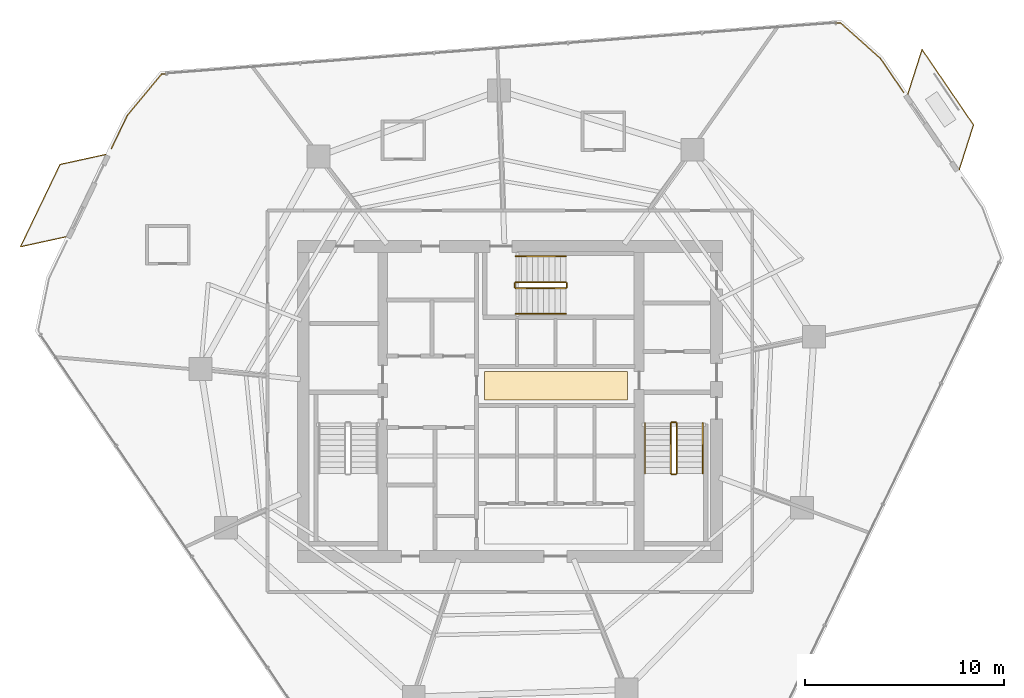
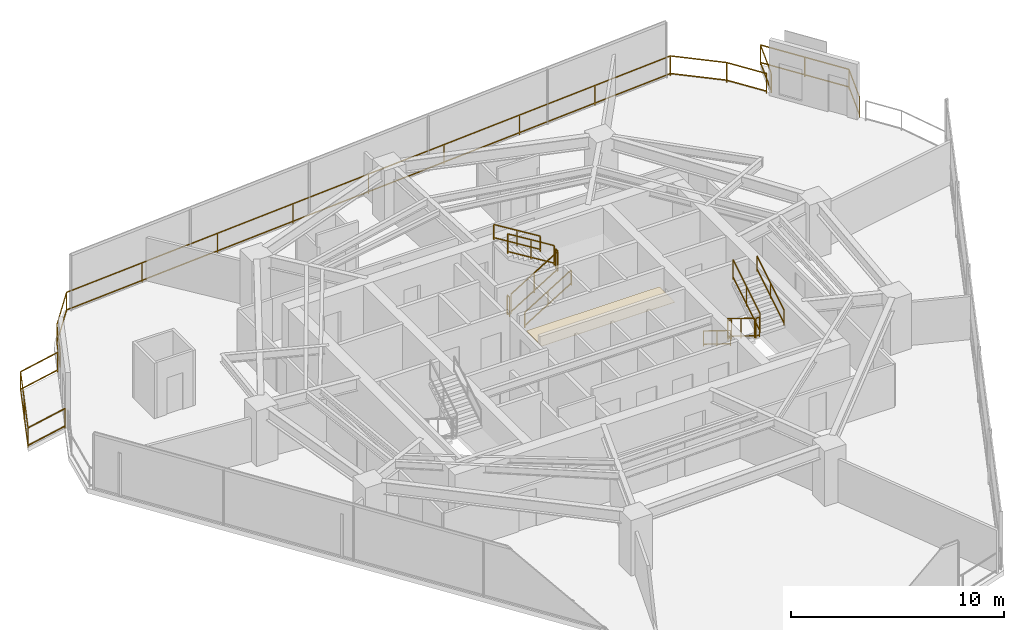
# One storey, part 30 of 30: 16 railings, 1 covering.
"""IFC4 building model written with IfcOpenShell, lengths in metres."""

from ifc_helpers import new_model, si_unit, direction, frame, origin, origin_2d, place, context, subcontext, project, spatial, rectangle, extrude, material, layer, layer_set, type_object, element, save


model = new_model("IFC4")

# Units and contexts
model_context = context("Model", 3, precision=1e-05, world=origin(), true_north=direction((0.0, 1.0)))
body_context = subcontext(model_context, "Body", "Model", "MODEL_VIEW")
ifc_project = project(units=[si_unit("LENGTHUNIT", "METRE"), si_unit("AREAUNIT", "SQUARE_METRE"), si_unit("VOLUMEUNIT", "CUBIC_METRE"), si_unit("PLANEANGLEUNIT", "RADIAN"), si_unit("MASSUNIT", "GRAM", prefix="KILO")], contexts=[model_context])

# Site, building, storey
site_placement = place(None, origin())
site = spatial("IfcSite", under=ifc_project, at=site_placement, CompositionType="ELEMENT")
building_placement = place(site_placement, origin())
building = spatial("IfcBuilding", under=site, at=building_placement, Name="Qarnah Convention Tower", CompositionType="ELEMENT")
storey_placement = place(building_placement, frame((0.0, 0.0, 83.25)))
storey = spatial("IfcBuildingStorey", under=building, at=storey_placement, Name="L21", CompositionType="ELEMENT", Elevation=83.25)

# Covering
ifc_material_1 = material(Name="Mineral fibre acoustic ceiling")
ifc_layer = layer(ifc_material_1, 0.02001953125)
ifc_layer_set = layer_set([ifc_layer], Name="Mineral fibre acoustic ceiling")
covering_type = type_object("IfcCoveringType", Name="COV-CEIL-20", PredefinedType="CEILING", material=ifc_layer_set)
covering_placement = place(storey_placement, frame((39.52001953125, 27.179931640625, 2.2900390625), z_axis=(0.0, 0.0, 1.0), x_axis=(1.0, 0.0, 0.0)))
element("IfcCovering", 1, at=covering_placement, inside=storey, type_object=covering_type, Name="L21 lift lobby acoustic ceiling", PredefinedType="CEILING", context=body_context, shape_type="SweptSolid", body=[
    extrude(rectangle(XDim=7.199951171875, YDim=1.449951171875, at=origin_2d()), origin(), (0.0, 0.0, 1.0), 0.02001953125),
])

# Railings
ifc_material_2 = material(Name="Black anodised aluminium", Category="aluminium")
railing_type_1 = type_object("IfcRailingType", Name="RL-EXT-GUARD-1150", PredefinedType="GUARDRAIL", material=ifc_material_2)
railing_1_placement = place(storey_placement, frame((55.85205078125, 43.657958984375, 0.0)))
element("IfcRailing", 2, at=railing_1_placement, inside=storey, type_object=railing_type_1, Name="L21 slab-edge perimeter safety guard 01", PredefinedType="GUARDRAIL", context=body_context, shape_type="SweptSolid", body=[
    extrude(rectangle(XDim=0.048095703125, YDim=0.048095703125, at=origin_2d()), frame((0.0, 0.0, 1.1259765625), z_axis=(0.563891242009, -0.825849058355, 0.0), x_axis=(0.825849058355, 0.563891242009, 0.0)), (0.0, 0.0, 1.0), 2.076416015625),
    extrude(rectangle(XDim=0.048095703125, YDim=0.048095703125, at=origin_2d()), frame((0.0, 0.0, 0.1201171875), z_axis=(0.563891242009, -0.825849058355, 0.0), x_axis=(0.825849058355, 0.563891242009, 0.0)), (0.0, 0.0, 1.0), 2.076416015625),
    extrude(rectangle(XDim=0.0419921875, YDim=0.0419921875, at=origin_2d()), origin(), (0.0, 0.0, 1.0), 1.101806640625),
    extrude(rectangle(XDim=0.0419921875, YDim=0.0419921875, at=origin_2d()), frame((1.1708984375, -1.71484375, 0.0)), (0.0, 0.0, 1.0), 1.101806640625),
])
railing_2_placement = place(storey_placement, frame((17.137939453125, 39.113037109375, 0.0)))
element("IfcRailing", 3, at=railing_2_placement, inside=storey, type_object=railing_type_1, Name="L21 slab-edge perimeter safety guard 03", PredefinedType="GUARDRAIL", context=body_context, shape_type="SweptSolid", body=[
    extrude(rectangle(XDim=0.048095703125, YDim=0.048095703125, at=origin_2d()), frame((0.0, 0.0, 1.1259765625), z_axis=(0.433709373449, 0.901052817199, 0.0), x_axis=(-0.901052817199, 0.433709373449, 0.0)), (0.0, 0.0, 1.0), 1.865478515625),
    extrude(rectangle(XDim=0.048095703125, YDim=0.048095703125, at=origin_2d()), frame((0.0, 0.0, 0.1201171875), z_axis=(0.433709373449, 0.901052817199, 0.0), x_axis=(-0.901052817199, 0.433709373449, 0.0)), (0.0, 0.0, 1.0), 1.865478515625),
    extrude(rectangle(XDim=0.048095703125, YDim=0.048095703125, at=origin_2d()), frame((0.80908203125, 1.680908203125, 1.1259765625), z_axis=(0.638606696047, 0.769533292174, 0.0), x_axis=(-0.769533292174, 0.638606696047, 0.0)), (0.0, 0.0, 1.0), 2.6962890625),
    extrude(rectangle(XDim=0.048095703125, YDim=0.048095703125, at=origin_2d()), frame((0.80908203125, 1.680908203125, 0.1201171875), z_axis=(0.638606696047, 0.769533292174, 0.0), x_axis=(-0.769533292174, 0.638606696047, 0.0)), (0.0, 0.0, 1.0), 2.6962890625),
    extrude(rectangle(XDim=0.048095703125, YDim=0.048095703125, at=origin_2d()), frame((2.531005859375, 3.755859375, 1.1259765625), z_axis=(0.997159154914, 0.075323434406, 0.0), x_axis=(-0.075323434406, 0.997159154914, 0.0)), (0.0, 0.0, 1.0), 34.266357421875),
    extrude(rectangle(XDim=0.048095703125, YDim=0.048095703125, at=origin_2d()), frame((2.531005859375, 3.755859375, 0.1201171875), z_axis=(0.997159154914, 0.075323434406, 0.0), x_axis=(-0.075323434406, 0.997159154914, 0.0)), (0.0, 0.0, 1.0), 34.266357421875),
    extrude(rectangle(XDim=0.048095703125, YDim=0.048095703125, at=origin_2d()), frame((36.699951171875, 6.3369140625, 1.1259765625), z_axis=(0.747109461995, -0.664701024369, 0.0), x_axis=(0.664701024369, 0.747109461995, 0.0)), (0.0, 0.0, 1.0), 2.696044921875),
    extrude(rectangle(XDim=0.048095703125, YDim=0.048095703125, at=origin_2d()), frame((36.699951171875, 6.3369140625, 0.1201171875), z_axis=(0.747109461995, -0.664701024369, 0.0), x_axis=(0.664701024369, 0.747109461995, 0.0)), (0.0, 0.0, 1.0), 2.696044921875),
    extrude(rectangle(XDim=0.0419921875, YDim=0.0419921875, at=origin_2d()), origin(), (0.0, 0.0, 1.0), 1.101806640625),
    extrude(rectangle(XDim=0.0419921875, YDim=0.0419921875, at=origin_2d()), frame((0.80908203125, 1.680908203125, 0.0)), (0.0, 0.0, 1.0), 1.101806640625),
    extrude(rectangle(XDim=0.0419921875, YDim=0.0419921875, at=origin_2d()), frame((2.531005859375, 3.755859375, 0.0)), (0.0, 0.0, 1.0), 1.101806640625),
    extrude(rectangle(XDim=0.0419921875, YDim=0.0419921875, at=origin_2d()), frame((6.80224609375, 4.07861328125, 0.0)), (0.0, 0.0, 1.0), 1.101806640625),
    extrude(rectangle(XDim=0.0419921875, YDim=0.0419921875, at=origin_2d()), frame((11.0732421875, 4.401123046875, 0.0)), (0.0, 0.0, 1.0), 1.101806640625),
    extrude(rectangle(XDim=0.0419921875, YDim=0.0419921875, at=origin_2d()), frame((15.34423828125, 4.7236328125, 0.0)), (0.0, 0.0, 1.0), 1.101806640625),
    extrude(rectangle(XDim=0.0419921875, YDim=0.0419921875, at=origin_2d()), frame((19.615478515625, 5.04638671875, 0.0)), (0.0, 0.0, 1.0), 1.101806640625),
    extrude(rectangle(XDim=0.0419921875, YDim=0.0419921875, at=origin_2d()), frame((23.88671875, 5.369140625, 0.0)), (0.0, 0.0, 1.0), 1.101806640625),
    extrude(rectangle(XDim=0.0419921875, YDim=0.0419921875, at=origin_2d()), frame((28.15771484375, 5.691650390625, 0.0)), (0.0, 0.0, 1.0), 1.101806640625),
    extrude(rectangle(XDim=0.0419921875, YDim=0.0419921875, at=origin_2d()), frame((32.4287109375, 6.01416015625, 0.0)), (0.0, 0.0, 1.0), 1.101806640625),
    extrude(rectangle(XDim=0.0419921875, YDim=0.0419921875, at=origin_2d()), frame((36.699951171875, 6.3369140625, 0.0)), (0.0, 0.0, 1.0), 1.101806640625),
    extrude(rectangle(XDim=0.0419921875, YDim=0.0419921875, at=origin_2d()), frame((38.714111328125, 4.544921875, 0.0)), (0.0, 0.0, 1.0), 1.101806640625),
])
railing_3_placement = place(storey_placement, frame((57.23193359375, 41.8759765625, 0.0)))
element("IfcRailing", 4, at=railing_3_placement, inside=storey, type_object=railing_type_1, Name="L21 balcony safety guard BAL-L21-C1", PredefinedType="GUARDRAIL", context=body_context, shape_type="SweptSolid", body=[
    extrude(rectangle(XDim=0.048095703125, YDim=0.048095703125, at=origin_2d()), frame((0.0, 0.0, 1.1259765625), z_axis=(0.303843323611, 0.952722013337, 0.0), x_axis=(-0.952722013337, 0.303843323611, 0.0)), (0.0, 0.0, 1.0), 2.34716796875),
    extrude(rectangle(XDim=0.048095703125, YDim=0.048095703125, at=origin_2d()), frame((0.0, 0.0, 0.1201171875), z_axis=(0.303843323611, 0.952722013337, 0.0), x_axis=(-0.952722013337, 0.303843323611, 0.0)), (0.0, 0.0, 1.0), 2.34716796875),
    extrude(rectangle(XDim=0.048095703125, YDim=0.048095703125, at=origin_2d()), frame((0.713134765625, 2.236083984375, 1.1259765625), z_axis=(0.563888376799, -0.825851014718, 0.0), x_axis=(0.825851014718, 0.563888376799, 0.0)), (0.0, 0.0, 1.0), 4.60009765625),
    extrude(rectangle(XDim=0.048095703125, YDim=0.048095703125, at=origin_2d()), frame((0.713134765625, 2.236083984375, 0.1201171875), z_axis=(0.563888376799, -0.825851014718, 0.0), x_axis=(0.825851014718, 0.563888376799, 0.0)), (0.0, 0.0, 1.0), 4.60009765625),
    extrude(rectangle(XDim=0.048095703125, YDim=0.048095703125, at=origin_2d()), frame((3.30712890625, -1.56298828125, 1.1259765625), z_axis=(-0.303843323611, -0.952722013337, 0.0), x_axis=(0.952722013337, -0.303843323611, 0.0)), (0.0, 0.0, 1.0), 2.34716796875),
    extrude(rectangle(XDim=0.048095703125, YDim=0.048095703125, at=origin_2d()), frame((3.30712890625, -1.56298828125, 0.1201171875), z_axis=(-0.303843323611, -0.952722013337, 0.0), x_axis=(0.952722013337, -0.303843323611, 0.0)), (0.0, 0.0, 1.0), 2.34716796875),
    extrude(rectangle(XDim=0.0419921875, YDim=0.0419921875, at=origin_2d()), origin(), (0.0, 0.0, 1.0), 1.101806640625),
    extrude(rectangle(XDim=0.0419921875, YDim=0.0419921875, at=origin_2d()), frame((0.713134765625, 2.236083984375, 0.0)), (0.0, 0.0, 1.0), 1.101806640625),
    extrude(rectangle(XDim=0.0419921875, YDim=0.0419921875, at=origin_2d()), frame((2.01025390625, 0.33642578125, 0.0)), (0.0, 0.0, 1.0), 1.101806640625),
    extrude(rectangle(XDim=0.0419921875, YDim=0.0419921875, at=origin_2d()), frame((3.30712890625, -1.56298828125, 0.0)), (0.0, 0.0, 1.0), 1.101806640625),
    extrude(rectangle(XDim=0.0419921875, YDim=0.0419921875, at=origin_2d()), frame((2.593994140625, -3.799072265625, 0.0)), (0.0, 0.0, 1.0), 1.101806640625),
])
railing_4_placement = place(storey_placement, frame((14.85693359375, 34.679931640625, 0.0)))
element("IfcRailing", 5, at=railing_4_placement, inside=storey, type_object=railing_type_1, Name="L21 balcony safety guard BAL-L21-C2", PredefinedType="GUARDRAIL", context=body_context, shape_type="SweptSolid", body=[
    extrude(rectangle(XDim=0.048095703125, YDim=0.048095703125, at=origin_2d()), frame((0.0, 0.0, 1.1259765625), z_axis=(-0.97695427395, -0.213448697843, 0.0), x_axis=(0.213448697843, -0.97695427395, 0.0)), (0.0, 0.0, 1.0), 2.34716796875),
    extrude(rectangle(XDim=0.048095703125, YDim=0.048095703125, at=origin_2d()), frame((0.0, 0.0, 0.1201171875), z_axis=(-0.97695427395, -0.213448697843, 0.0), x_axis=(0.213448697843, -0.97695427395, 0.0)), (0.0, 0.0, 1.0), 2.34716796875),
    extrude(rectangle(XDim=0.048095703125, YDim=0.048095703125, at=origin_2d()), frame((-2.29296875, -0.5009765625, 1.1259765625), z_axis=(0.433315993208, 0.901242059621, 0.0), x_axis=(-0.901242059621, 0.433315993208, 0.0)), (0.0, 0.0, 1.0), 4.59912109375),
    extrude(rectangle(XDim=0.048095703125, YDim=0.048095703125, at=origin_2d()), frame((-2.29296875, -0.5009765625, 0.1201171875), z_axis=(0.433315993208, 0.901242059621, 0.0), x_axis=(-0.901242059621, 0.433315993208, 0.0)), (0.0, 0.0, 1.0), 4.59912109375),
    extrude(rectangle(XDim=0.048095703125, YDim=0.048095703125, at=origin_2d()), frame((-0.300048828125, 3.64404296875, 1.1259765625), z_axis=(0.9769779518, 0.21334029553, 0.0), x_axis=(-0.21334029553, 0.9769779518, 0.0)), (0.0, 0.0, 1.0), 2.34814453125),
    extrude(rectangle(XDim=0.048095703125, YDim=0.048095703125, at=origin_2d()), frame((-0.300048828125, 3.64404296875, 0.1201171875), z_axis=(0.9769779518, 0.21334029553, 0.0), x_axis=(-0.21334029553, 0.9769779518, 0.0)), (0.0, 0.0, 1.0), 2.34814453125),
    extrude(rectangle(XDim=0.0419921875, YDim=0.0419921875, at=origin_2d()), origin(), (0.0, 0.0, 1.0), 1.101806640625),
    extrude(rectangle(XDim=0.0419921875, YDim=0.0419921875, at=origin_2d()), frame((-2.29296875, -0.5009765625, 0.0)), (0.0, 0.0, 1.0), 1.101806640625),
    extrude(rectangle(XDim=0.0419921875, YDim=0.0419921875, at=origin_2d()), frame((-1.29638671875, 1.571533203125, 0.0)), (0.0, 0.0, 1.0), 1.101806640625),
    extrude(rectangle(XDim=0.0419921875, YDim=0.0419921875, at=origin_2d()), frame((-0.300048828125, 3.64404296875, 0.0)), (0.0, 0.0, 1.0), 1.101806640625),
    extrude(rectangle(XDim=0.0419921875, YDim=0.0419921875, at=origin_2d()), frame((1.994140625, 4.14501953125, 0.0)), (0.0, 0.0, 1.0), 1.101806640625),
])
ifc_material_3 = material(Name="Structural steel S355JR", Category="steel")
railing_type_2 = type_object("IfcRailingType", Name="RL-STAIR-GUARD-1150", PredefinedType="GUARDRAIL", material=ifc_material_3)
railing_5_placement = place(storey_placement, frame((45.300048828125, 25.300048828125, 0.172607421875)))
element("IfcRailing", 6, at=railing_5_placement, inside=storey, type_object=railing_type_2, Name="L21 ST-2 stair guard 1", PredefinedType="GUARDRAIL", context=body_context, shape_type="SweptSolid", body=[
    extrude(rectangle(XDim=0.048095703125, YDim=0.048095703125, at=origin_2d()), frame((0.0, 0.0, 1.1259765625), z_axis=(0.0, -0.851400495292, 0.524516154772), x_axis=(1.0, 0.0, 0.0)), (0.0, 0.0, 1.0), 2.9599609375),
    extrude(rectangle(XDim=0.048095703125, YDim=0.048095703125, at=origin_2d()), frame((0.0, 0.0, 0.1201171875), z_axis=(0.0, -0.851400495292, 0.524516154772), x_axis=(1.0, 0.0, 0.0)), (0.0, 0.0, 1.0), 2.9599609375),
    extrude(rectangle(XDim=0.0419921875, YDim=0.0419921875, at=origin_2d()), origin(), (0.0, 0.0, 1.0), 1.101806640625),
    extrude(rectangle(XDim=0.0419921875, YDim=0.0419921875, at=origin_2d()), frame((0.0, -1.260009765625, 0.7763671875)), (0.0, 0.0, 1.0), 1.101806640625),
    extrude(rectangle(XDim=0.0419921875, YDim=0.0419921875, at=origin_2d()), frame((0.0, -2.52001953125, 1.552490234375)), (0.0, 0.0, 1.0), 1.101806640625),
])
railing_6_placement = place(storey_placement, frame((45.35009765625, 22.72998046875, 1.72509765625)))
element("IfcRailing", 7, at=railing_6_placement, inside=storey, type_object=railing_type_2, Name="L21 ST-2 stair guard 2", PredefinedType="GUARDRAIL", context=body_context, shape_type="SweptSolid", body=[
    extrude(rectangle(XDim=0.048095703125, YDim=0.048095703125, at=origin_2d()), frame((0.0, 0.0, 1.1259765625), z_axis=(1.0, 0.0, 0.0), x_axis=(0.0, 1.0, 0.0)), (0.0, 0.0, 1.0), 0.199951171875),
    extrude(rectangle(XDim=0.048095703125, YDim=0.048095703125, at=origin_2d()), frame((0.0, 0.0, 0.1201171875), z_axis=(1.0, 0.0, 0.0), x_axis=(0.0, 1.0, 0.0)), (0.0, 0.0, 1.0), 0.199951171875),
    extrude(rectangle(XDim=0.0419921875, YDim=0.0419921875, at=origin_2d()), origin(), (0.0, 0.0, 1.0), 1.101806640625),
    extrude(rectangle(XDim=0.0419921875, YDim=0.0419921875, at=origin_2d()), frame((0.199951171875, 0.0, 0.0)), (0.0, 0.0, 1.0), 1.101806640625),
])
railing_7_placement = place(storey_placement, frame((45.60009765625, 22.780029296875, 1.8974609375)))
element("IfcRailing", 8, at=railing_7_placement, inside=storey, type_object=railing_type_2, Name="L21 ST-2 stair guard 3", PredefinedType="GUARDRAIL", context=body_context, shape_type="SweptSolid", body=[
    extrude(rectangle(XDim=0.048095703125, YDim=0.048095703125, at=origin_2d()), frame((0.0, 0.0, 1.1259765625), z_axis=(0.0, 0.851400495292, 0.524516154772), x_axis=(-1.0, 0.0, 0.0)), (0.0, 0.0, 1.0), 2.9599609375),
    extrude(rectangle(XDim=0.048095703125, YDim=0.048095703125, at=origin_2d()), frame((0.0, 0.0, 0.1201171875), z_axis=(0.0, 0.851400495292, 0.524516154772), x_axis=(-1.0, 0.0, 0.0)), (0.0, 0.0, 1.0), 2.9599609375),
    extrude(rectangle(XDim=0.0419921875, YDim=0.0419921875, at=origin_2d()), origin(), (0.0, 0.0, 1.0), 1.101806640625),
    extrude(rectangle(XDim=0.0419921875, YDim=0.0419921875, at=origin_2d()), frame((0.0, 1.260009765625, 0.7763671875)), (0.0, 0.0, 1.0), 1.101806640625),
    extrude(rectangle(XDim=0.0419921875, YDim=0.0419921875, at=origin_2d()), frame((0.0, 2.52001953125, 1.552490234375)), (0.0, 0.0, 1.0), 1.101806640625),
])
railing_8_placement = place(storey_placement, frame((45.35009765625, 25.35009765625, 0.0)))
element("IfcRailing", 9, at=railing_8_placement, inside=storey, type_object=railing_type_2, Name="L21 ST-2 stair guard 4", PredefinedType="GUARDRAIL", context=body_context, shape_type="SweptSolid", body=[
    extrude(rectangle(XDim=0.048095703125, YDim=0.048095703125, at=origin_2d()), frame((0.0, 0.0, 1.1259765625), z_axis=(1.0, 0.0, 0.0), x_axis=(0.0, 1.0, 0.0)), (0.0, 0.0, 1.0), 0.199951171875),
    extrude(rectangle(XDim=0.048095703125, YDim=0.048095703125, at=origin_2d()), frame((0.0, 0.0, 0.1201171875), z_axis=(1.0, 0.0, 0.0), x_axis=(0.0, 1.0, 0.0)), (0.0, 0.0, 1.0), 0.199951171875),
    extrude(rectangle(XDim=0.0419921875, YDim=0.0419921875, at=origin_2d()), origin(), (0.0, 0.0, 1.0), 1.101806640625),
    extrude(rectangle(XDim=0.0419921875, YDim=0.0419921875, at=origin_2d()), frame((0.199951171875, 0.0, 0.0)), (0.0, 0.0, 1.0), 1.101806640625),
])
railing_9_placement = place(storey_placement, frame((37.5, 32.10009765625, 0.172607421875)))
element("IfcRailing", 10, at=railing_9_placement, inside=storey, type_object=railing_type_2, Name="L21 ST-3 stair guard 1", PredefinedType="GUARDRAIL", context=body_context, shape_type="SweptSolid", body=[
    extrude(rectangle(XDim=0.048095703125, YDim=0.048095703125, at=origin_2d()), frame((0.0, 0.0, 1.1259765625), z_axis=(0.851400495292, 0.0, 0.524516154772), x_axis=(0.0, 1.0, 0.0)), (0.0, 0.0, 1.0), 2.9599609375),
    extrude(rectangle(XDim=0.048095703125, YDim=0.048095703125, at=origin_2d()), frame((0.0, 0.0, 0.1201171875), z_axis=(0.851400495292, 0.0, 0.524516154772), x_axis=(0.0, 1.0, 0.0)), (0.0, 0.0, 1.0), 2.9599609375),
    extrude(rectangle(XDim=0.0419921875, YDim=0.0419921875, at=origin_2d()), origin(), (0.0, 0.0, 1.0), 1.101806640625),
    extrude(rectangle(XDim=0.0419921875, YDim=0.0419921875, at=origin_2d()), frame((1.260009765625, 0.0, 0.7763671875)), (0.0, 0.0, 1.0), 1.101806640625),
    extrude(rectangle(XDim=0.0419921875, YDim=0.0419921875, at=origin_2d()), frame((2.52001953125, 0.0, 1.552490234375)), (0.0, 0.0, 1.0), 1.101806640625),
])
railing_10_placement = place(storey_placement, frame((40.070068359375, 32.14990234375, 1.72509765625)))
element("IfcRailing", 11, at=railing_10_placement, inside=storey, type_object=railing_type_2, Name="L21 ST-3 stair guard 2", PredefinedType="GUARDRAIL", context=body_context, shape_type="SweptSolid", body=[
    extrude(rectangle(XDim=0.048095703125, YDim=0.048095703125, at=origin_2d()), frame((0.0, 0.0, 1.1259765625), z_axis=(0.0, 1.0, 0.0), x_axis=(-1.0, 0.0, 0.0)), (0.0, 0.0, 1.0), 0.2001953125),
    extrude(rectangle(XDim=0.048095703125, YDim=0.048095703125, at=origin_2d()), frame((0.0, 0.0, 0.1201171875), z_axis=(0.0, 1.0, 0.0), x_axis=(-1.0, 0.0, 0.0)), (0.0, 0.0, 1.0), 0.2001953125),
    extrude(rectangle(XDim=0.0419921875, YDim=0.0419921875, at=origin_2d()), origin(), (0.0, 0.0, 1.0), 1.101806640625),
    extrude(rectangle(XDim=0.0419921875, YDim=0.0419921875, at=origin_2d()), frame((0.0, 0.2001953125, 0.0)), (0.0, 0.0, 1.0), 1.101806640625),
])
railing_11_placement = place(storey_placement, frame((40.02001953125, 32.39990234375, 1.8974609375)))
element("IfcRailing", 12, at=railing_11_placement, inside=storey, type_object=railing_type_2, Name="L21 ST-3 stair guard 3", PredefinedType="GUARDRAIL", context=body_context, shape_type="SweptSolid", body=[
    extrude(rectangle(XDim=0.048095703125, YDim=0.048095703125, at=origin_2d()), frame((0.0, 0.0, 1.1259765625), z_axis=(-0.851400495292, 0.0, 0.524516154772), x_axis=(0.0, -1.0, 0.0)), (0.0, 0.0, 1.0), 2.9599609375),
    extrude(rectangle(XDim=0.048095703125, YDim=0.048095703125, at=origin_2d()), frame((0.0, 0.0, 0.1201171875), z_axis=(-0.851400495292, 0.0, 0.524516154772), x_axis=(0.0, -1.0, 0.0)), (0.0, 0.0, 1.0), 2.9599609375),
    extrude(rectangle(XDim=0.0419921875, YDim=0.0419921875, at=origin_2d()), origin(), (0.0, 0.0, 1.0), 1.101806640625),
    extrude(rectangle(XDim=0.0419921875, YDim=0.0419921875, at=origin_2d()), frame((-1.260009765625, 0.0, 0.7763671875)), (0.0, 0.0, 1.0), 1.101806640625),
    extrude(rectangle(XDim=0.0419921875, YDim=0.0419921875, at=origin_2d()), frame((-2.52001953125, 0.0, 1.552490234375)), (0.0, 0.0, 1.0), 1.101806640625),
])
railing_12_placement = place(storey_placement, frame((37.449951171875, 32.14990234375, 0.0)))
element("IfcRailing", 13, at=railing_12_placement, inside=storey, type_object=railing_type_2, Name="L21 ST-3 stair guard 4", PredefinedType="GUARDRAIL", context=body_context, shape_type="SweptSolid", body=[
    extrude(rectangle(XDim=0.048095703125, YDim=0.048095703125, at=origin_2d()), frame((0.0, 0.0, 1.1259765625), z_axis=(0.0, 1.0, 0.0), x_axis=(-1.0, 0.0, 0.0)), (0.0, 0.0, 1.0), 0.2001953125),
    extrude(rectangle(XDim=0.048095703125, YDim=0.048095703125, at=origin_2d()), frame((0.0, 0.0, 0.1201171875), z_axis=(0.0, 1.0, 0.0), x_axis=(-1.0, 0.0, 0.0)), (0.0, 0.0, 1.0), 0.2001953125),
    extrude(rectangle(XDim=0.0419921875, YDim=0.0419921875, at=origin_2d()), origin(), (0.0, 0.0, 1.0), 1.101806640625),
    extrude(rectangle(XDim=0.0419921875, YDim=0.0419921875, at=origin_2d()), frame((0.0, 0.2001953125, 0.0)), (0.0, 0.0, 1.0), 1.101806640625),
])
railing_type_3 = type_object("IfcRailingType", Name="RL-STAIR-HAND-900", PredefinedType="HANDRAIL", material=ifc_material_3)
railing_13_placement = place(storey_placement, frame((44.0, 25.300048828125, 0.172607421875)))
element("IfcRailing", 14, at=railing_13_placement, inside=storey, type_object=railing_type_3, Name="L21 ST-2 stair handrail 1", PredefinedType="HANDRAIL", context=body_context, shape_type="SweptSolid", body=[
    extrude(rectangle(XDim=0.048095703125, YDim=0.048095703125, at=origin_2d()), frame((0.0, 0.0, 0.8759765625), z_axis=(0.0, -0.851400495292, 0.524516154772), x_axis=(1.0, 0.0, 0.0)), (0.0, 0.0, 1.0), 2.9599609375),
    extrude(rectangle(XDim=0.048095703125, YDim=0.048095703125, at=origin_2d()), frame((0.0, 0.0, 0.1201171875), z_axis=(0.0, -0.851400495292, 0.524516154772), x_axis=(1.0, 0.0, 0.0)), (0.0, 0.0, 1.0), 2.9599609375),
    extrude(rectangle(XDim=0.0419921875, YDim=0.0419921875, at=origin_2d()), origin(), (0.0, 0.0, 1.0), 0.851806640625),
    extrude(rectangle(XDim=0.0419921875, YDim=0.0419921875, at=origin_2d()), frame((0.0, -1.260009765625, 0.7763671875)), (0.0, 0.0, 1.0), 0.851806640625),
    extrude(rectangle(XDim=0.0419921875, YDim=0.0419921875, at=origin_2d()), frame((0.0, -2.52001953125, 1.552490234375)), (0.0, 0.0, 1.0), 0.851806640625),
])
railing_14_placement = place(storey_placement, frame((46.89990234375, 22.780029296875, 1.8974609375)))
element("IfcRailing", 15, at=railing_14_placement, inside=storey, type_object=railing_type_3, Name="L21 ST-2 stair handrail 2", PredefinedType="HANDRAIL", context=body_context, shape_type="SweptSolid", body=[
    extrude(rectangle(XDim=0.048095703125, YDim=0.048095703125, at=origin_2d()), frame((0.0, 0.0, 0.8759765625), z_axis=(0.0, 0.851400495292, 0.524516154772), x_axis=(-1.0, 0.0, 0.0)), (0.0, 0.0, 1.0), 2.9599609375),
    extrude(rectangle(XDim=0.048095703125, YDim=0.048095703125, at=origin_2d()), frame((0.0, 0.0, 0.1201171875), z_axis=(0.0, 0.851400495292, 0.524516154772), x_axis=(-1.0, 0.0, 0.0)), (0.0, 0.0, 1.0), 2.9599609375),
    extrude(rectangle(XDim=0.0419921875, YDim=0.0419921875, at=origin_2d()), origin(), (0.0, 0.0, 1.0), 0.851806640625),
    extrude(rectangle(XDim=0.0419921875, YDim=0.0419921875, at=origin_2d()), frame((0.0, 1.260009765625, 0.7763671875)), (0.0, 0.0, 1.0), 0.851806640625),
    extrude(rectangle(XDim=0.0419921875, YDim=0.0419921875, at=origin_2d()), frame((0.0, 2.52001953125, 1.552490234375)), (0.0, 0.0, 1.0), 0.851806640625),
])
railing_15_placement = place(storey_placement, frame((37.5, 30.800048828125, 0.172607421875)))
element("IfcRailing", 16, at=railing_15_placement, inside=storey, type_object=railing_type_3, Name="L21 ST-3 stair handrail 1", PredefinedType="HANDRAIL", context=body_context, shape_type="SweptSolid", body=[
    extrude(rectangle(XDim=0.048095703125, YDim=0.048095703125, at=origin_2d()), frame((0.0, 0.0, 0.8759765625), z_axis=(0.851400495292, 0.0, 0.524516154772), x_axis=(0.0, 1.0, 0.0)), (0.0, 0.0, 1.0), 2.9599609375),
    extrude(rectangle(XDim=0.048095703125, YDim=0.048095703125, at=origin_2d()), frame((0.0, 0.0, 0.1201171875), z_axis=(0.851400495292, 0.0, 0.524516154772), x_axis=(0.0, 1.0, 0.0)), (0.0, 0.0, 1.0), 2.9599609375),
    extrude(rectangle(XDim=0.0419921875, YDim=0.0419921875, at=origin_2d()), origin(), (0.0, 0.0, 1.0), 0.851806640625),
    extrude(rectangle(XDim=0.0419921875, YDim=0.0419921875, at=origin_2d()), frame((1.260009765625, 0.0, 0.7763671875)), (0.0, 0.0, 1.0), 0.851806640625),
    extrude(rectangle(XDim=0.0419921875, YDim=0.0419921875, at=origin_2d()), frame((2.52001953125, 0.0, 1.552490234375)), (0.0, 0.0, 1.0), 0.851806640625),
])
railing_16_placement = place(storey_placement, frame((40.02001953125, 33.699951171875, 1.8974609375)))
element("IfcRailing", 17, at=railing_16_placement, inside=storey, type_object=railing_type_3, Name="L21 ST-3 stair handrail 2", PredefinedType="HANDRAIL", context=body_context, shape_type="SweptSolid", body=[
    extrude(rectangle(XDim=0.048095703125, YDim=0.048095703125, at=origin_2d()), frame((0.0, 0.0, 0.8759765625), z_axis=(-0.851400495292, 0.0, 0.524516154772), x_axis=(0.0, -1.0, 0.0)), (0.0, 0.0, 1.0), 2.9599609375),
    extrude(rectangle(XDim=0.048095703125, YDim=0.048095703125, at=origin_2d()), frame((0.0, 0.0, 0.1201171875), z_axis=(-0.851400495292, 0.0, 0.524516154772), x_axis=(0.0, -1.0, 0.0)), (0.0, 0.0, 1.0), 2.9599609375),
    extrude(rectangle(XDim=0.0419921875, YDim=0.0419921875, at=origin_2d()), origin(), (0.0, 0.0, 1.0), 0.851806640625),
    extrude(rectangle(XDim=0.0419921875, YDim=0.0419921875, at=origin_2d()), frame((-1.260009765625, 0.0, 0.7763671875)), (0.0, 0.0, 1.0), 0.851806640625),
    extrude(rectangle(XDim=0.0419921875, YDim=0.0419921875, at=origin_2d()), frame((-2.52001953125, 0.0, 1.552490234375)), (0.0, 0.0, 1.0), 0.851806640625),
])

save(model, "model.ifc")
